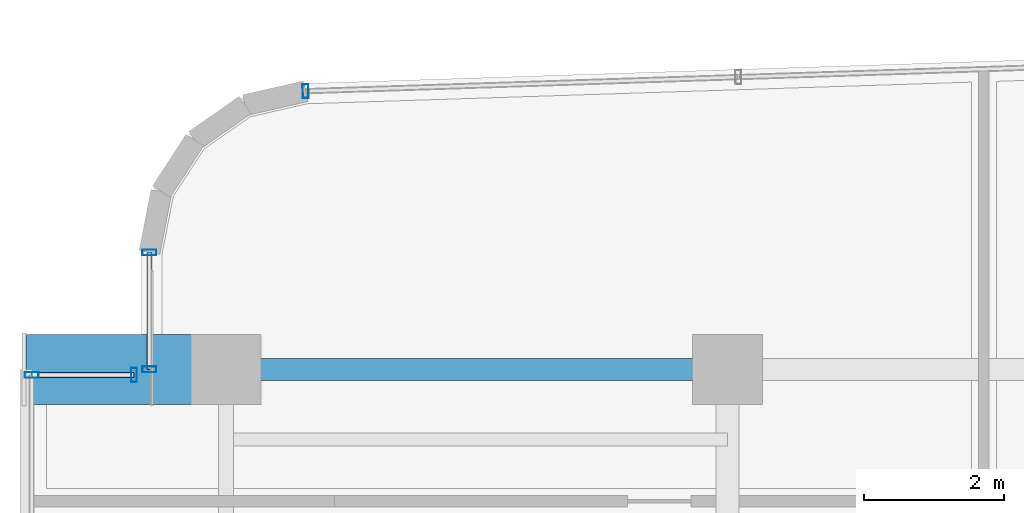
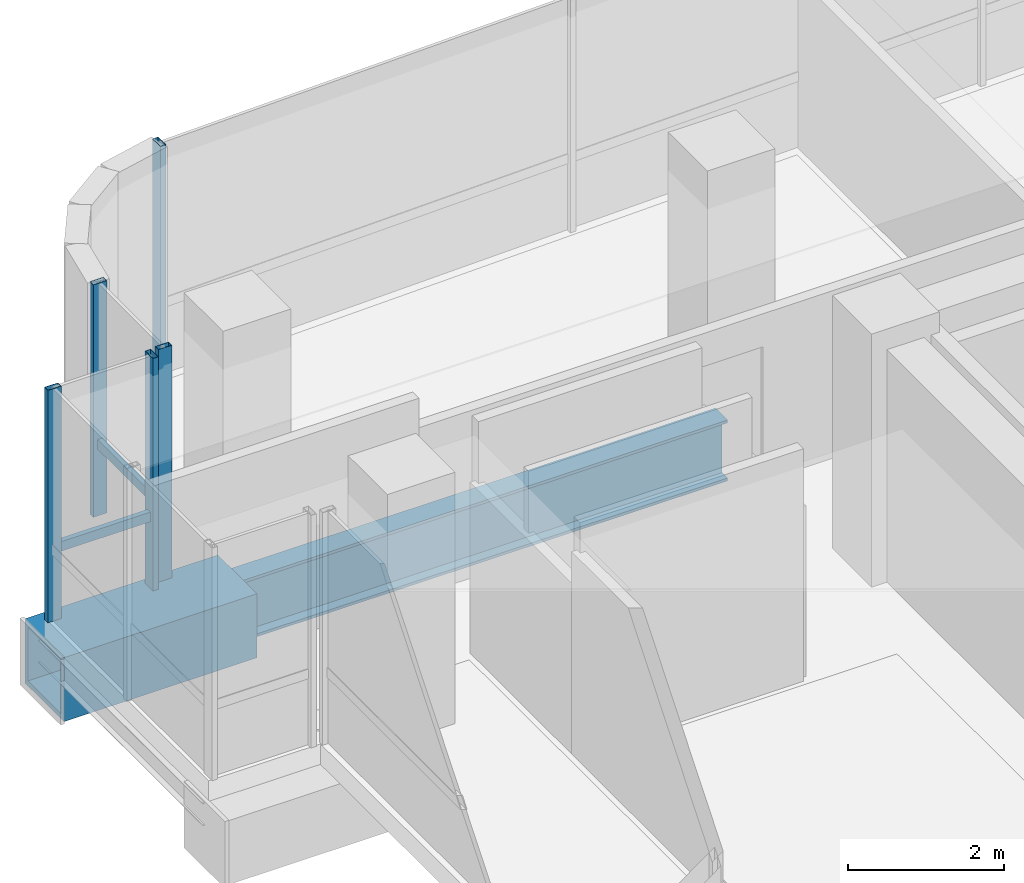
# One storey, part 18 of 37: 7 members, 2 beams, 4 elements without a shape of their own.
"""IFC4 building model written with IfcOpenShell, lengths in metres."""

from ifc_helpers import new_model, si_unit, direction, frame, origin, origin_2d, place, context, subcontext, project, spatial, hollow_rectangle, i_section, extrude, source, transform, mapped, material, material_profile, profile_set, type_object, element, aggregate, save


model = new_model("IFC4")

# Units and contexts
model_context = context("Model", 3, precision=1e-05, world=origin(), true_north=direction((0.0, 1.0)))
body_context = subcontext(model_context, "Body", "Model", "MODEL_VIEW")
ifc_project = project(units=[si_unit("LENGTHUNIT", "METRE"), si_unit("AREAUNIT", "SQUARE_METRE"), si_unit("VOLUMEUNIT", "CUBIC_METRE"), si_unit("PLANEANGLEUNIT", "RADIAN"), si_unit("MASSUNIT", "GRAM", prefix="KILO")], contexts=[model_context])

# Site, building, storey
site_placement = place(None, origin())
site = spatial("IfcSite", under=ifc_project, at=site_placement, CompositionType="ELEMENT")
building_placement = place(site_placement, origin())
building = spatial("IfcBuilding", under=site, at=building_placement, Name="Valdorenza Pilgrim Sanctuary Tower", CompositionType="ELEMENT")
storey_placement = place(building_placement, frame((0.0, 0.0, 188.39990234375)))
storey = spatial("IfcBuildingStorey", under=building, at=storey_placement, Name="L48", CompositionType="ELEMENT", Elevation=188.39990234375)

# Beams
ifc_material_1 = material(Name="Steel ASTM A572 Grade 42", Category="steel")
ifc_material_profile_1 = material_profile(ifc_material_1, hollow_rectangle(XDim=1.0, YDim=1.0, WallThickness=0.080078125, at=origin_2d()), Name="BOX 1000x1000x80")
ifc_profile_set_1 = profile_set([ifc_material_profile_1], Name="Steel ASTM A572 Grade 42")
beam_type_1 = type_object("IfcBeamType", Name="STR-BM-PROW-CANT", PredefinedType="BEAM", material=ifc_profile_set_1)
shared_shape_1 = source(origin(), body_context, "Body", "SweptSolid", [
    extrude(hollow_rectangle(XDim=1.0, YDim=1.0, WallThickness=0.080078125, at=origin_2d()), origin(), (0.0, 0.0, 1.0), 2.849853515625),
])
beam_1_placement = place(storey_placement, frame((-29.800048828125, 14.800048828125, -0.81982421875), z_axis=(-1.0, 0.0, 0.0), x_axis=(0.0, -1.0, 0.0)))
element("IfcBeam", 1, at=beam_1_placement, inside=storey, type_object=beam_type_1, Name="L48 Glass Box Cantilever Beam BOX-WA-L48-CT-N", PredefinedType="BEAM", context=body_context, shape_type="MappedRepresentation", body=[
    mapped(shared_shape_1, transform((0.0, 0.0, 0.0), x_axis=(1.0, 0.0, 0.0), y_axis=(0.0, 1.0, 0.0), z_axis=(0.0, 0.0, 1.0), scale=1.0)),
])
ifc_material_2 = material(Name="Steel ASTM A992 Grade 50", Category="steel")
ifc_material_profile_2 = material_profile(ifc_material_2, i_section(OverallWidth=0.31005859375, OverallDepth=0.949951171875, WebThickness=0.0244140625, FlangeThickness=0.0439453125, at=origin_2d()), Name="W36X256")
ifc_profile_set_2 = profile_set([ifc_material_profile_2], Name="Steel ASTM A992 Grade 50")
beam_type_2 = type_object("IfcBeamType", Name="STR-BM-GRD-W36B", PredefinedType="BEAM", material=ifc_profile_set_2)
shared_shape_2 = source(origin(), body_context, "Body", "SweptSolid", [
    extrude(i_section(OverallWidth=0.31005859375, OverallDepth=0.949951171875, WebThickness=0.0244140625, FlangeThickness=0.0439453125, at=origin_2d()), origin(), (0.0, 0.0, 1.0), 7.150146484375),
])
beam_2_placement = place(storey_placement, frame((-29.800048828125, 14.800048828125, -0.794921875), z_axis=(1.0, 0.0, 0.0), x_axis=(0.0, 1.0, 0.0)))
element("IfcBeam", 2, at=beam_2_placement, inside=storey, type_object=beam_type_2, Name="L48 Floor Girder WA-XW-N2", PredefinedType="BEAM", context=body_context, shape_type="MappedRepresentation", body=[
    mapped(shared_shape_2, transform((0.0, 0.0, 0.0), x_axis=(1.0, 0.0, 0.0), y_axis=(0.0, 1.0, 0.0), z_axis=(0.0, 0.0, 1.0), scale=1.0)),
])

# Curtain wall, member
ifc_material_3 = material(Name="Curtain-wall IGU glazing", Category="glass")
curtain_wall_type = type_object("IfcCurtainWallType", Name="CW-SYS-02", PredefinedType="NOTDEFINED", material=ifc_material_3)
curtain_wall_1_placement = place(storey_placement, origin())
curtain_wall_1 = element("IfcCurtainWall", 3, at=curtain_wall_1_placement, inside=storey, type_object=curtain_wall_type, Name="L48 Curtain Wall CW-L48-BOX-WA-L48-N", PredefinedType="NOTDEFINED")
ifc_material_4 = material(Name="Anodised aluminium AW-6060", Category="aluminium")
ifc_material_profile_3 = material_profile(ifc_material_4, hollow_rectangle(XDim=0.074951171875, YDim=0.14990234375, WallThickness=0.00390625, at=origin_2d()), Name="ALU-T 150x75x4")
ifc_profile_set_3 = profile_set([ifc_material_profile_3], Name="Anodised aluminium AW-6060")
member_type_1 = type_object("IfcMemberType", Name="CW-TRN-02", PredefinedType="USERDEFINED", material=ifc_profile_set_3)
shared_shape_3 = source(origin(), body_context, "Body", "SweptSolid", [
    extrude(hollow_rectangle(XDim=0.074951171875, YDim=0.14990234375, WallThickness=0.00390625, at=origin_2d()), origin(), (0.0, 0.0, 1.0), 1.4599609375),
])
member_1_placement = place(storey_placement, frame((-32.570068359375, 14.719970703125, 1.1201171875), z_axis=(1.0, 0.0, 0.0), x_axis=(0.0, 1.0, 0.0)))
member_1 = element("IfcMember", 4, at=member_1_placement, type_object=member_type_1, Name="CW-L48-BOX-WA-L48-N Transom 1", ObjectType="TRANSOM", PredefinedType="USERDEFINED", context=body_context, shape_type="MappedRepresentation", body=[
    mapped(shared_shape_3, transform((0.0, 0.0, 0.0), x_axis=(1.0, 0.0, 0.0), y_axis=(0.0, 1.0, 0.0), z_axis=(0.0, 0.0, 1.0), scale=1.0)),
])

# Curtain wall, members
curtain_wall_2_placement = place(storey_placement, origin())
curtain_wall_2 = element("IfcCurtainWall", 5, at=curtain_wall_2_placement, inside=storey, type_object=curtain_wall_type, Name="L48 Curtain Wall CW-L48-1-1S2", PredefinedType="NOTDEFINED")
ifc_material_profile_4 = material_profile(ifc_material_4, hollow_rectangle(XDim=0.0849609375, YDim=0.199951171875, WallThickness=0.0048828125, at=origin_2d()), Name="ALU-M 200x85x5")
ifc_profile_set_4 = profile_set([ifc_material_profile_4], Name="Anodised aluminium AW-6060")
member_type_2 = type_object("IfcMemberType", Name="CW-MUL-02", PredefinedType="MULLION", material=ifc_profile_set_4)
shared_shape_4 = source(origin(), body_context, "Body", "SweptSolid", [
    extrude(hollow_rectangle(XDim=0.0849609375, YDim=0.199951171875, WallThickness=0.0048828125, at=origin_2d()), origin(), (0.0, 0.0, 1.0), 3.630126953125),
])
member_2_placement = place(storey_placement, frame((-30.889892578125, 14.800048828125, 0.0), z_axis=(0.0, 0.0, 1.0), x_axis=(0.0, 1.0, 0.0)))
member_2 = element("IfcMember", 6, at=member_2_placement, type_object=member_type_2, Name="CW-L48-1-1S2 Mullion 1", PredefinedType="MULLION", context=body_context, shape_type="MappedRepresentation", body=[
    mapped(shared_shape_4, transform((0.0, 0.0, 0.0), x_axis=(1.0, 0.0, 0.0), y_axis=(0.0, 1.0, 0.0), z_axis=(0.0, 0.0, 1.0), scale=1.0)),
])
member_3_placement = place(storey_placement, frame((-30.889892578125, 16.46630859375, 0.0), z_axis=(0.0, 0.0, 1.0), x_axis=(0.0, 1.0, 0.0)))
member_3 = element("IfcMember", 7, at=member_3_placement, type_object=member_type_2, Name="CW-L48-1-1S2 Mullion 2", PredefinedType="MULLION", context=body_context, shape_type="MappedRepresentation", body=[
    mapped(shared_shape_4, transform((0.0, 0.0, 0.0), x_axis=(1.0, 0.0, 0.0), y_axis=(0.0, 1.0, 0.0), z_axis=(0.0, 0.0, 1.0), scale=1.0)),
])

# Curtain wall, member
curtain_wall_3_placement = place(storey_placement, origin())
curtain_wall_3 = element("IfcCurtainWall", 8, at=curtain_wall_3_placement, inside=storey, type_object=curtain_wall_type, Name="L48 Curtain Wall CW-L48-1-6", PredefinedType="NOTDEFINED")
member_4_placement = place(storey_placement, frame((-28.663818359375, 18.76611328125, 0.0), z_axis=(0.0, 0.0, 1.0), x_axis=(0.999470282811, 0.032544642846, 0.0)))
member_4 = element("IfcMember", 9, at=member_4_placement, type_object=member_type_2, Name="CW-L48-1-6 Mullion 1", PredefinedType="MULLION", context=body_context, shape_type="MappedRepresentation", body=[
    mapped(shared_shape_4, transform((0.0, 0.0, 0.0), x_axis=(1.0, 0.0, 0.0), y_axis=(0.0, 1.0, 0.0), z_axis=(0.0, 0.0, 1.0), scale=1.0)),
])
aggregate(curtain_wall_3, [member_4])

curtain_wall_4_placement = place(storey_placement, origin())
curtain_wall_4 = element("IfcCurtainWall", 10, at=curtain_wall_4_placement, inside=storey, type_object=curtain_wall_type, Name="L48 Curtain Wall CW-L48-BOX-WA-L48-F", PredefinedType="NOTDEFINED")
member_5_placement = place(storey_placement, frame((-32.570068359375, 14.719970703125, 0.0), z_axis=(0.0, 0.0, 1.0), x_axis=(0.0, 1.0, 0.0)))
member_5 = element("IfcMember", 11, at=member_5_placement, type_object=member_type_2, Name="CW-L48-BOX-WA-L48-F Mullion 3", PredefinedType="MULLION", context=body_context, shape_type="MappedRepresentation", body=[
    mapped(shared_shape_4, transform((0.0, 0.0, 0.0), x_axis=(1.0, 0.0, 0.0), y_axis=(0.0, 1.0, 0.0), z_axis=(0.0, 0.0, 1.0), scale=1.0)),
])
aggregate(curtain_wall_4, [member_5])

# Member
member_6_placement = place(storey_placement, frame((-31.110107421875, 14.719970703125, 0.0), z_axis=(0.0, 0.0, 1.0), x_axis=(1.0, 0.0, 0.0)))
member_6 = element("IfcMember", 12, at=member_6_placement, type_object=member_type_2, Name="CW-L48-BOX-WA-L48-N Mullion 2", PredefinedType="MULLION", context=body_context, shape_type="MappedRepresentation", body=[
    mapped(shared_shape_4, transform((0.0, 0.0, 0.0), x_axis=(1.0, 0.0, 0.0), y_axis=(0.0, 1.0, 0.0), z_axis=(0.0, 0.0, 1.0), scale=1.0)),
])

aggregate(curtain_wall_1, [member_6, member_1])

shared_shape_5 = source(origin(), body_context, "Body", "SweptSolid", [
    extrude(hollow_rectangle(XDim=0.074951171875, YDim=0.14990234375, WallThickness=0.00390625, at=origin_2d()), origin(), (0.0, 0.0, 1.0), 1.666259765625),
])
member_7_placement = place(storey_placement, frame((-30.889892578125, 14.800048828125, 1.1201171875), z_axis=(0.0, 1.0, 0.0), x_axis=(-1.0, 0.0, 0.0)))
member_7 = element("IfcMember", 13, at=member_7_placement, type_object=member_type_1, Name="CW-L48-1-1S2 Transom 1", ObjectType="TRANSOM", PredefinedType="USERDEFINED", context=body_context, shape_type="MappedRepresentation", body=[
    mapped(shared_shape_5, transform((0.0, 0.0, 0.0), x_axis=(1.0, 0.0, 0.0), y_axis=(0.0, 1.0, 0.0), z_axis=(0.0, 0.0, 1.0), scale=1.0)),
])

aggregate(curtain_wall_2, [member_2, member_3, member_7])

save(model, "model.ifc")
